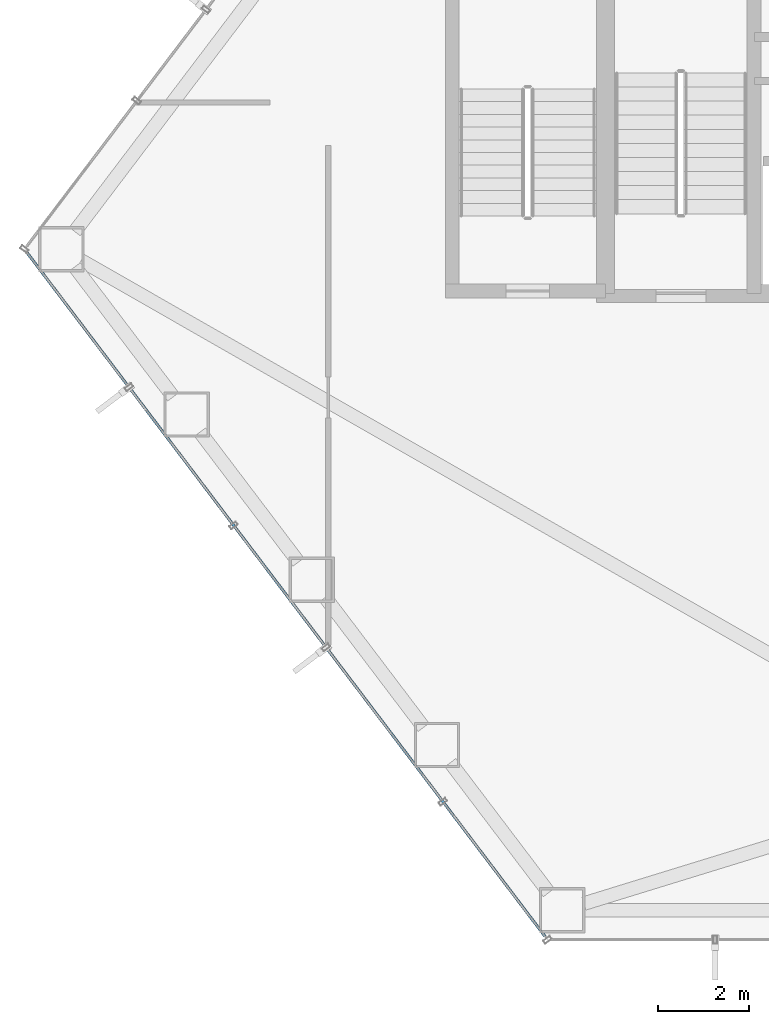
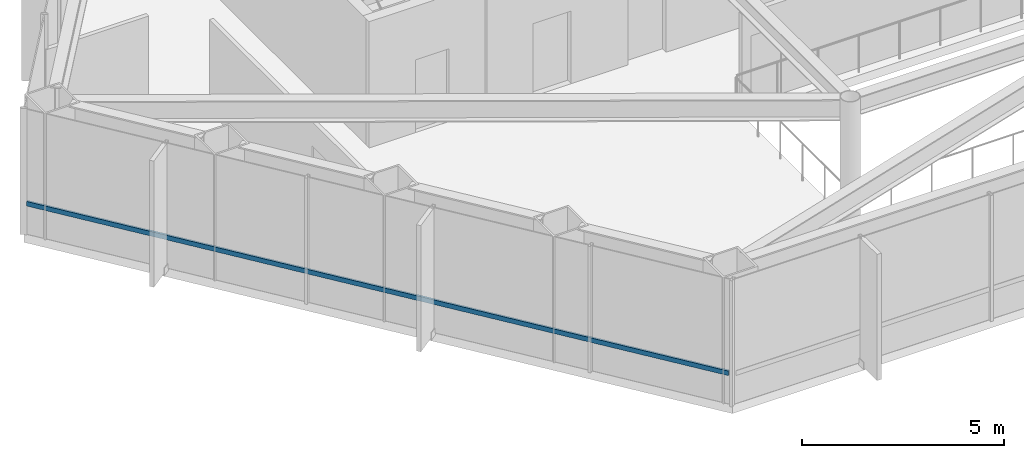
# One storey, part 3 of 25: 1 member, 1 element without a shape of its own.
"""IFC4 building model written with IfcOpenShell, lengths in metres."""

from ifc_helpers import new_model, si_unit, direction, frame, origin, origin_2d, place, context, subcontext, project, spatial, hollow_rectangle, extrude, material, layer, layer_set, material_profile, profile_set, type_object, element, aggregate, save


model = new_model("IFC4")

# Units and contexts
model_context = context("Model", 3, precision=1e-05, world=origin(), true_north=direction((0.0, 1.0)))
body_context = subcontext(model_context, "Body", "Model", "MODEL_VIEW")
ifc_project = project(units=[si_unit("LENGTHUNIT", "METRE"), si_unit("AREAUNIT", "SQUARE_METRE"), si_unit("VOLUMEUNIT", "CUBIC_METRE"), si_unit("PLANEANGLEUNIT", "RADIAN"), si_unit("MASSUNIT", "GRAM", prefix="KILO")], contexts=[model_context])

# Site, building, storey
site_placement = place(None, origin())
site = spatial("IfcSite", under=ifc_project, at=site_placement, CompositionType="ELEMENT")
building_placement = place(site_placement, origin())
building = spatial("IfcBuilding", under=site, at=building_placement, Name="Zarrinselat Tower", CompositionType="ELEMENT")
storey_placement = place(building_placement, frame((0.0, 0.0, 39.780029296875)))
storey = spatial("IfcBuildingStorey", under=building, at=storey_placement, Name="L09", CompositionType="ELEMENT", Elevation=39.780029296875)

# Curtain wall, member
ifc_material_1 = material(Name="Extruded Aluminium Alloy EN AW-6063 T6", Category="aluminium")
ifc_layer = layer(ifc_material_1, 0.18505859375)
ifc_layer_set = layer_set([ifc_layer], Name="Extruded Aluminium Alloy EN AW-6063 T6")
curtain_wall_type = type_object("IfcCurtainWallType", Name="CWS-OFF", PredefinedType="NOTDEFINED", material=ifc_layer_set)
curtain_wall_placement = place(storey_placement, origin())
curtain_wall = element("IfcCurtainWall", 1, at=curtain_wall_placement, inside=storey, type_object=curtain_wall_type, Name="L09 Unitised Curtain Wall CW-L09-E03", PredefinedType="NOTDEFINED")
ifc_material_2 = material(Name="Extruded Aluminium Alloy EN AW-6063 T6", Category="aluminium")
ifc_material_profile = material_profile(ifc_material_2, hollow_rectangle(XDim=0.06005859375, YDim=0.139892578125, WallThickness=0.00390625, at=origin_2d()), Name="RHS 140x60x4")
ifc_profile_set = profile_set([ifc_material_profile], Name="Extruded Aluminium Alloy EN AW-6063 T6")
member_type = type_object("IfcMemberType", Name="MEM-CW-TRN", PredefinedType="USERDEFINED", material=ifc_profile_set)
member_placement = place(storey_placement, frame((15.865966796875, 34.1494140625, 0.949951171875), z_axis=(0.60385022181, -0.7970978043, 0.0), x_axis=(0.7970978043, 0.60385022181, 0.0)))
member = element("IfcMember", 2, at=member_placement, type_object=member_type, Name="CW-L09-E03 Transom 1", ObjectType="TRANSOM", PredefinedType="USERDEFINED", context=body_context, shape_type="SweptSolid", body=[
    extrude(hollow_rectangle(XDim=0.06005859375, YDim=0.139892578125, WallThickness=0.00390625, at=origin_2d()), origin(), (0.0, 0.0, 1.0), 18.88720703125),
])
aggregate(curtain_wall, [member])

save(model, "model.ifc")
